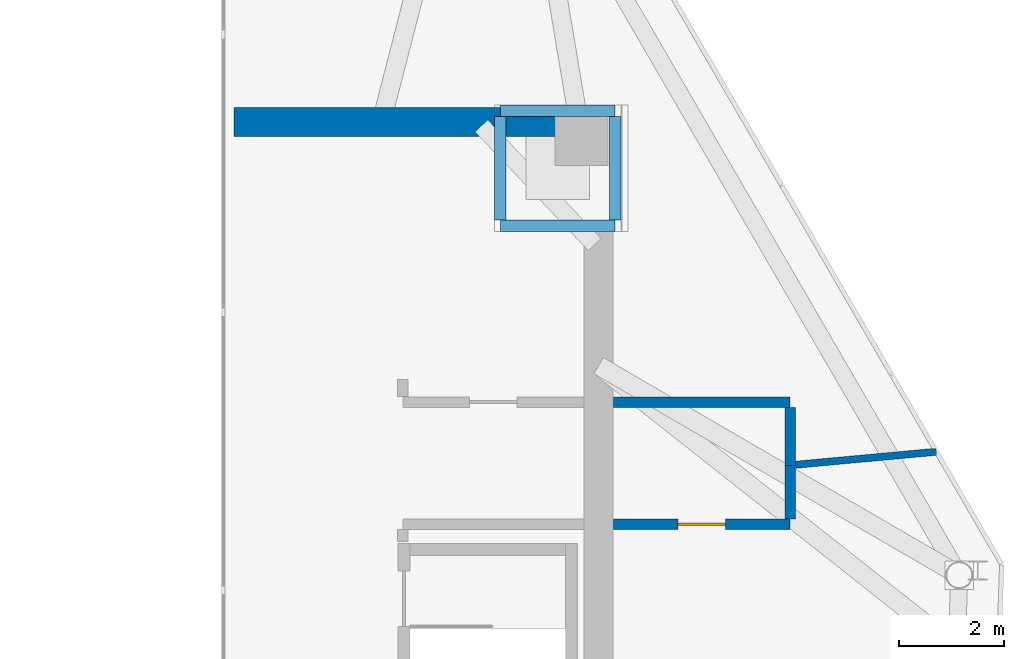
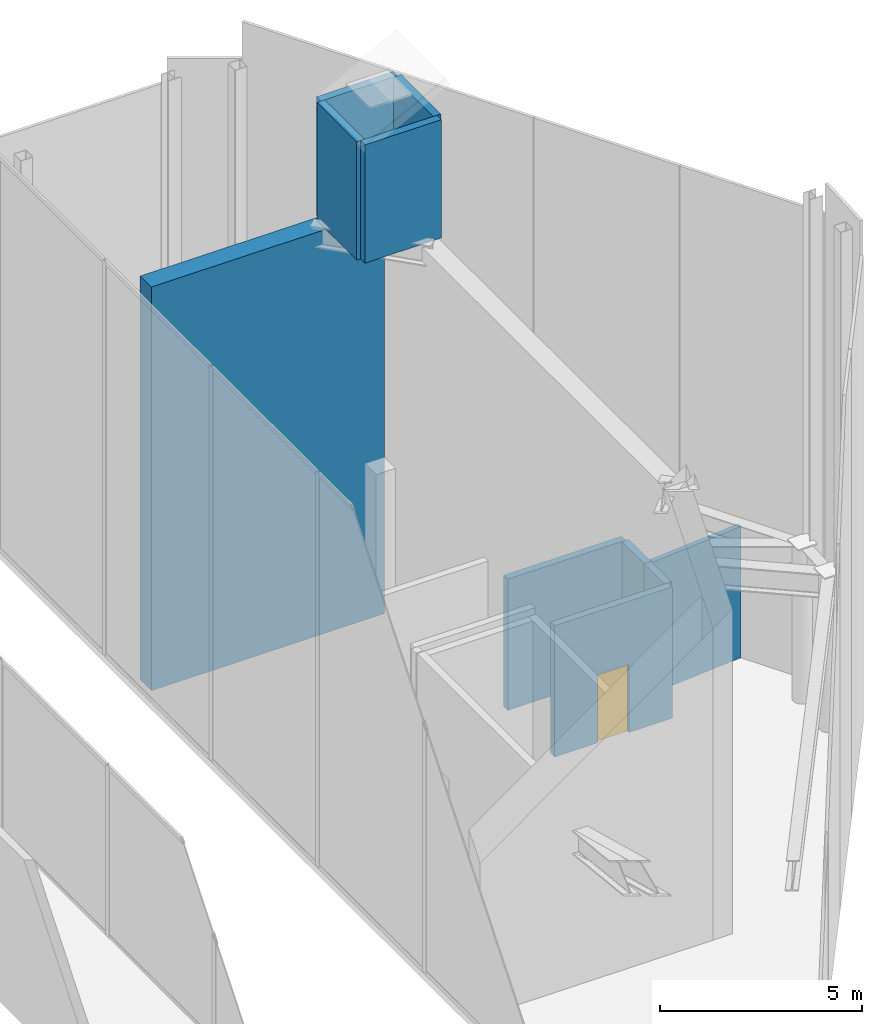
# One storey, part 8 of 9: 10 walls, 1 door, 1 opening.
"""IFC4 building model written with IfcOpenShell, lengths in metres."""

from ifc_helpers import new_model, si_unit, direction, frame, frame_2d, origin, place, context, subcontext, project, spatial, rectangle, extrude, source, transform, mapped, material, layer, layer_set, type_object, type_shapes, element, fill, save


model = new_model("IFC4")

# Units and contexts
model_context = context("Model", 3, precision=1e-05, world=origin(), true_north=direction((0.0, 1.0)))
body_context = subcontext(model_context, "Body", "Model", "MODEL_VIEW")
ifc_project = project(units=[si_unit("LENGTHUNIT", "METRE"), si_unit("AREAUNIT", "SQUARE_METRE"), si_unit("VOLUMEUNIT", "CUBIC_METRE"), si_unit("PLANEANGLEUNIT", "RADIAN"), si_unit("MASSUNIT", "GRAM", prefix="KILO")], contexts=[model_context])

# Site, building, storey
site_placement = place(None, origin())
site = spatial("IfcSite", under=ifc_project, at=site_placement, CompositionType="ELEMENT")
building_placement = place(site_placement, origin())
building = spatial("IfcBuilding", under=site, at=building_placement, Name="Durnholm Broadcast Tower", CompositionType="ELEMENT")
storey_placement = place(building_placement, frame((0.0, 0.0, 287.0)))
storey = spatial("IfcBuildingStorey", under=building, at=storey_placement, Name="L79", CompositionType="ELEMENT", Elevation=287.0)

# Walls
ifc_material_1 = material(Name="Concrete C70/85", Category="concrete")
ifc_layer_1 = layer(ifc_material_1, 0.550048828125)
ifc_layer_set_1 = layer_set([ifc_layer_1], Name="Concrete C70/85")
wall_type_1 = type_object("IfcWallType", Name="WALL-CW-550", PredefinedType="SHEAR", material=ifc_layer_set_1)
wall_1_placement = place(storey_placement, frame((3.199951171875, 8.125, 0.0), z_axis=(0.0, 0.0, 1.0), x_axis=(1.0, 0.0, 0.0)))
element("IfcWall", 1, at=wall_1_placement, inside=storey, type_object=wall_type_1, Name="L79 split-crown core shear wall WCW-NE", PredefinedType="SHEAR", context=body_context, shape_type="SweptSolid", body=[
    extrude(rectangle(XDim=6.650146484375, YDim=0.550048828125, at=frame_2d((3.3251953125, 0.0))), origin(), (0.0, 0.0, 1.0), 12.179931640625),
])
ifc_material_2 = material(Name="Fire-Rated Gypsum Shaftwall", Category="concrete")
ifc_layer_2 = layer(ifc_material_2, 0.199951171875)
ifc_layer_set_2 = layer_set([ifc_layer_2], Name="Fire-Rated Gypsum Shaftwall")
wall_type_2 = type_object("IfcWallType", Name="WALL-LOB-200", PredefinedType="SOLIDWALL", material=ifc_layer_set_2)
wall_2_placement = place(storey_placement, frame((13.760009765625, 2.81005859375, 0.0), z_axis=(0.0, 0.0, 1.0), x_axis=(-1.0, 0.0, 0.0)))
element("IfcWall", 2, at=wall_2_placement, inside=storey, type_object=wall_type_2, Name="L79 Crown Electrical Switchgear Plant corridor partition", PredefinedType="SOLIDWALL", context=body_context, shape_type="SweptSolid", body=[
    extrude(rectangle(XDim=3.35498046875, YDim=0.199951171875, at=frame_2d((1.677490234375, 0.0))), origin(), (0.0, 0.0, 1.0), 3.96142578125),
])
wall_3_placement = place(storey_placement, frame((13.760009765625, 1.610107421875, 0.0), z_axis=(0.0, 0.0, 1.0), x_axis=(0.0, 1.0, 0.0)))
element("IfcWall", 3, at=wall_3_placement, inside=storey, type_object=wall_type_2, Name="L79 Crown Electrical Switchgear Plant corridor partition", PredefinedType="SOLIDWALL", context=body_context, shape_type="SweptSolid", body=[
    extrude(rectangle(XDim=1.095947265625, YDim=0.199951171875, at=frame_2d((0.5478515625, 0.0))), origin(), (0.0, 0.0, 1.0), 3.96142578125),
])

# Wall, opening, door
wall_4_placement = place(storey_placement, frame((10.405029296875, 0.489990234375, 0.0), z_axis=(0.0, 0.0, 1.0), x_axis=(1.0, 0.0, 0.0)))
wall_4 = element("IfcWall", 4, at=wall_4_placement, inside=storey, type_object=wall_type_2, Name="L79 Crown Telecom Cooling Plant corridor partition", PredefinedType="SOLIDWALL", context=body_context, shape_type="SweptSolid", body=[
    extrude(rectangle(XDim=3.35498046875, YDim=0.199951171875, at=frame_2d((1.677490234375, 0.0))), origin(), (0.0, 0.0, 1.0), 3.96142578125),
])
opening_placement = place(wall_4_placement, frame((1.2275390625, 0.0, 0.0)))
opening = element("IfcOpeningElement", 5, at=opening_placement, cuts=wall_4, Name="Opening DC-60R", PredefinedType="OPENING", context=body_context, shape_type="SweptSolid", body=[
    extrude(rectangle(XDim=0.89990234375, YDim=2.050048828125, at=frame_2d((0.449951171875, 1.02490234375))), frame((0.0, 0.10986328125, 0.0), z_axis=(0.0, -1.0, 0.0), x_axis=(1.0, 0.0, 0.0)), (0.0, 0.0, 1.0), 0.219970703125),
])
ifc_material_3 = material(Name="Fire-Rated Core Service Door", Category="steel")
ifc_layer_3 = layer(ifc_material_3, 0.050048828125)
ifc_layer_set_3 = layer_set([ifc_layer_3], Name="Fire-Rated Core Service Door")
door_type = type_object("IfcDoorType", Name="DOOR-CORE-FD60-R", OperationType="NOTDEFINED", PredefinedType="DOOR", material=ifc_layer_set_3)
shared_shape = source(origin(), body_context, "Body", "SweptSolid", [
    extrude(rectangle(XDim=0.89990234375, YDim=2.050048828125, at=frame_2d((0.449951171875, 1.02490234375))), frame((0.0, 0.02490234375, 0.0), z_axis=(0.0, -1.0, 0.0), x_axis=(1.0, 0.0, 0.0)), (0.0, 0.0, 1.0), 0.050048828125),
])
type_shapes(door_type, [shared_shape])
door_placement = place(opening_placement, origin())
door = element("IfcDoor", 6, at=door_placement, inside=storey, type_object=door_type, Name="L79 Crown Telecom Cooling Plant entrance door", OperationType="SINGLE_SWING_RIGHT", OverallHeight=2.050048828125, OverallWidth=0.89990234375, PredefinedType="DOOR", context=body_context, shape_type="MappedRepresentation", body=[
    mapped(shared_shape, transform((0.0, 0.0, 0.0), x_axis=(1.0, 0.0, 0.0), y_axis=(0.0, 1.0, 0.0), z_axis=(0.0, 0.0, 1.0), scale=1.0)),
])
fill(opening, door)

# Walls
wall_5_placement = place(storey_placement, frame((13.760009765625, 0.593994140625, 0.0), z_axis=(0.0, 0.0, 1.0), x_axis=(0.0, 1.0, 0.0)))
element("IfcWall", 7, at=wall_5_placement, inside=storey, type_object=wall_type_2, Name="L79 Crown Telecom Cooling Plant corridor partition", PredefinedType="SOLIDWALL", context=body_context, shape_type="SweptSolid", body=[
    extrude(rectangle(XDim=1.01611328125, YDim=0.199951171875, at=frame_2d((0.508056640625, 0.0))), origin(), (0.0, 0.0, 1.0), 3.96142578125),
])
ifc_material_4 = material(Name="Gypsum Metal Stud Partition", Category="concrete")
ifc_layer_4 = layer(ifc_material_4, 0.135009765625)
ifc_layer_set_4 = layer_set([ifc_layer_4], Name="Gypsum Metal Stud Partition")
wall_type_3 = type_object("IfcWallType", Name="WALL-PART-135", PredefinedType="PARTITIONING", material=ifc_layer_set_4)
wall_6_placement = place(storey_placement, frame((16.535888671875, 1.865966796875, 0.0), z_axis=(0.0, 0.0, 1.0), x_axis=(-0.995776794664, -0.091807272096, 0.0)))
element("IfcWall", 8, at=wall_6_placement, inside=storey, type_object=wall_type_3, Name="L79 room dividing partition 3.4", PredefinedType="PARTITIONING", context=body_context, shape_type="SweptSolid", body=[
    extrude(rectangle(XDim=2.68310546875, YDim=0.135009765625, at=frame_2d((1.341552734375, 0.0))), origin(), (0.0, 0.0, 1.0), 3.96142578125),
])
ifc_material_5 = material(Name="Concrete C50/60", Category="concrete")
ifc_layer_5 = layer(ifc_material_5, 0.219970703125)
ifc_layer_set_5 = layer_set([ifc_layer_5], Name="Concrete C50/60")
wall_type_4 = type_object("IfcWallType", Name="WALL-SW-220", PredefinedType="SHEAR", material=ifc_layer_set_5)
for number, where, z_axis, x_axis, name in (
    (9, (8.260009765625, 6.159912109375, 12.219970703125), (0.0, 0.0, 1.0), (1.0, 0.0, 0.0), "L79 HOOD-4 overrun bulkhead structural wall S"),
    (10, (8.260009765625, 8.340087890625, 12.219970703125), (0.0, 0.0, 1.0), (1.0, 0.0, 0.0), "L79 HOOD-4 overrun bulkhead structural wall N"),
):
    element("IfcWall", number, at=place(storey_placement, frame(where, z_axis=z_axis, x_axis=x_axis)), inside=storey, type_object=wall_type_4, Name=name, PredefinedType="SHEAR", context=body_context, shape_type="SweptSolid", body=[
        extrude(rectangle(XDim=2.179931640625, YDim=0.219970703125, at=frame_2d((1.08984375, 0.0))), origin(), (0.0, 0.0, 1.0), 3.570068359375),
    ])
for number, where, z_axis, x_axis, name in (
    (11, (8.260009765625, 6.27001953125, 12.219970703125), (0.0, 0.0, 1.0), (0.0, 1.0, 0.0), "L79 HOOD-4 overrun bulkhead structural wall W"),
    (12, (10.43994140625, 6.27001953125, 12.219970703125), (0.0, 0.0, 1.0), (0.0, 1.0, 0.0), "L79 HOOD-4 overrun bulkhead structural wall E"),
):
    element("IfcWall", number, at=place(storey_placement, frame(where, z_axis=z_axis, x_axis=x_axis)), inside=storey, type_object=wall_type_4, Name=name, PredefinedType="SHEAR", context=body_context, shape_type="SweptSolid", body=[
        extrude(rectangle(XDim=1.9599609375, YDim=0.219970703125, at=frame_2d((0.97998046875, 0.0))), origin(), (0.0, 0.0, 1.0), 3.570068359375),
    ])

save(model, "model.ifc")
